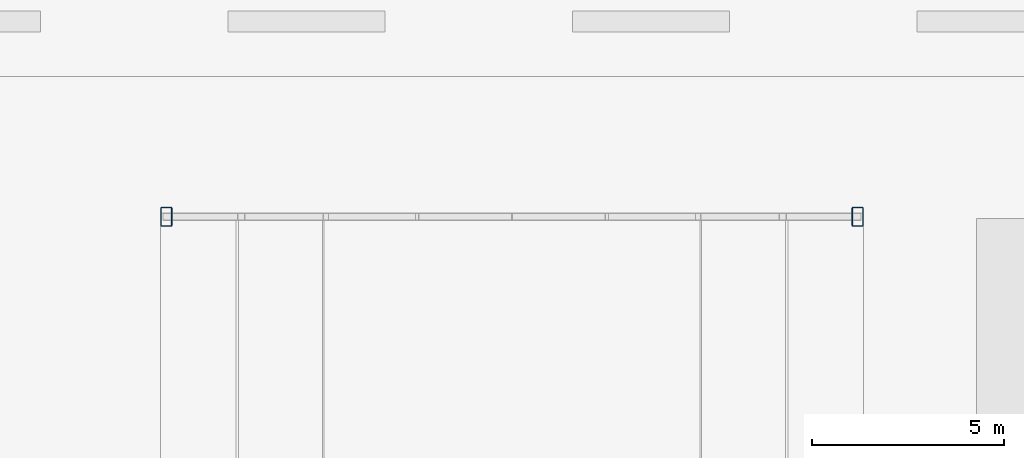
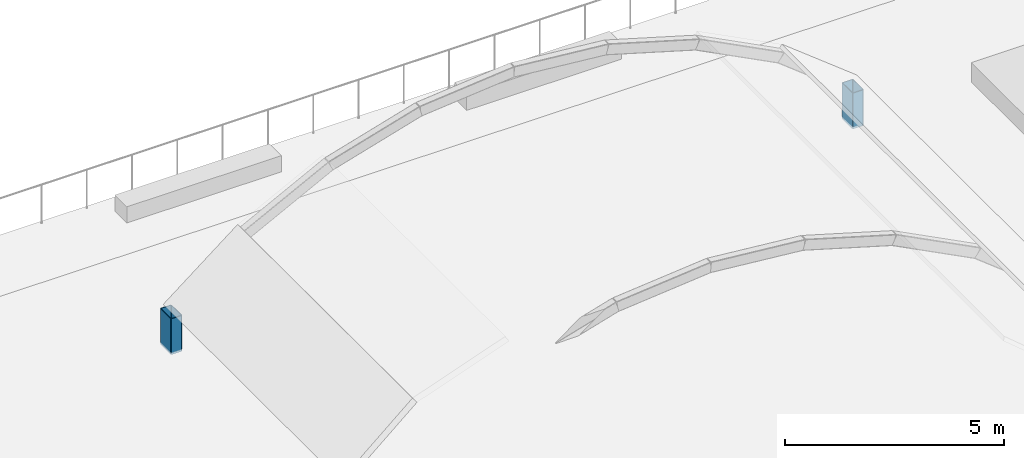
# One storey, part 6 of 33: 2 columns.
"""IFC4 building model written with IfcOpenShell, lengths in metres."""

from ifc_helpers import new_model, si_unit, direction, frame, origin, origin_2d, place, context, subcontext, project, spatial, hollow_rectangle, extrude, material, material_profile, profile_set, type_object, element, save


model = new_model("IFC4")

# Units and contexts
model_context = context("Model", 3, precision=1e-05, world=origin(), true_north=direction((0.0, 1.0)))
body_context = subcontext(model_context, "Body", "Model", "MODEL_VIEW")
ifc_project = project(units=[si_unit("LENGTHUNIT", "METRE"), si_unit("AREAUNIT", "SQUARE_METRE"), si_unit("VOLUMEUNIT", "CUBIC_METRE"), si_unit("PLANEANGLEUNIT", "RADIAN"), si_unit("MASSUNIT", "GRAM", prefix="KILO")], contexts=[model_context])

# Site, building, storey
site_placement = place(None, origin())
site = spatial("IfcSite", under=ifc_project, at=site_placement, CompositionType="ELEMENT")
building_placement = place(site_placement, origin())
building = spatial("IfcBuilding", under=site, at=building_placement, Name="Plateau Cross Towers", CompositionType="ELEMENT")
storey_placement = place(building_placement, frame((0.0, 0.0, 26.800048828125)))
storey = spatial("IfcBuildingStorey", under=building, at=storey_placement, Name="L05", CompositionType="ELEMENT", Elevation=26.800048828125)

# Columns
ifc_material = material(Name="Steel S355", Category="steel")
ifc_material_profile = material_profile(ifc_material, hollow_rectangle(XDim=0.300048828125, YDim=0.5, WallThickness=0.01611328125, InnerFilletRadius=0.01611328125, OuterFilletRadius=0.031982421875, at=origin_2d()), Name="RHS 500x300x16")
ifc_profile_set = profile_set([ifc_material_profile], Name="Steel S355")
column_type = type_object("IfcColumnType", Name="Pavilion post RHS 500x300x16", PredefinedType="COLUMN", material=ifc_profile_set)
for number, where, z_axis, x_axis, name in (
    (1, (81.0, 54.0, 0.0), (0.0, 0.0, 1.0), (1.0, 0.0, 0.0), "Pavilion post 4-1"),
    (2, (99.0, 54.0, 0.0), (0.0, 0.0, 1.0), (1.0, 0.0, 0.0), "Pavilion post 4-2"),
):
    element("IfcColumn", number, at=place(storey_placement, frame(where, z_axis=z_axis, x_axis=x_axis)), inside=storey, type_object=column_type, Name=name, PredefinedType="COLUMN", context=body_context, shape_type="SweptSolid", body=[
        extrude(hollow_rectangle(XDim=0.300048828125, YDim=0.5, WallThickness=0.01611328125, InnerFilletRadius=0.01611328125, OuterFilletRadius=0.031982421875, at=origin_2d()), origin(), (0.0, 0.0, 1.0), 1.0),
    ])

save(model, "model.ifc")
